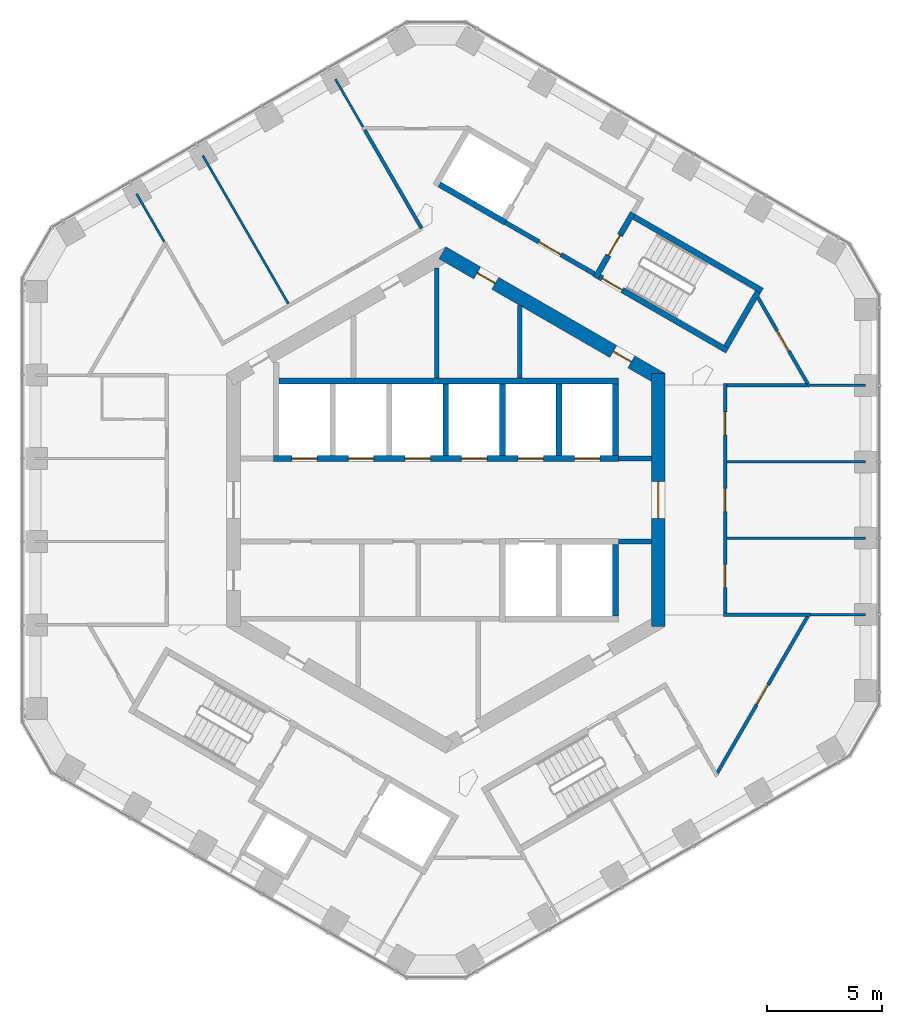
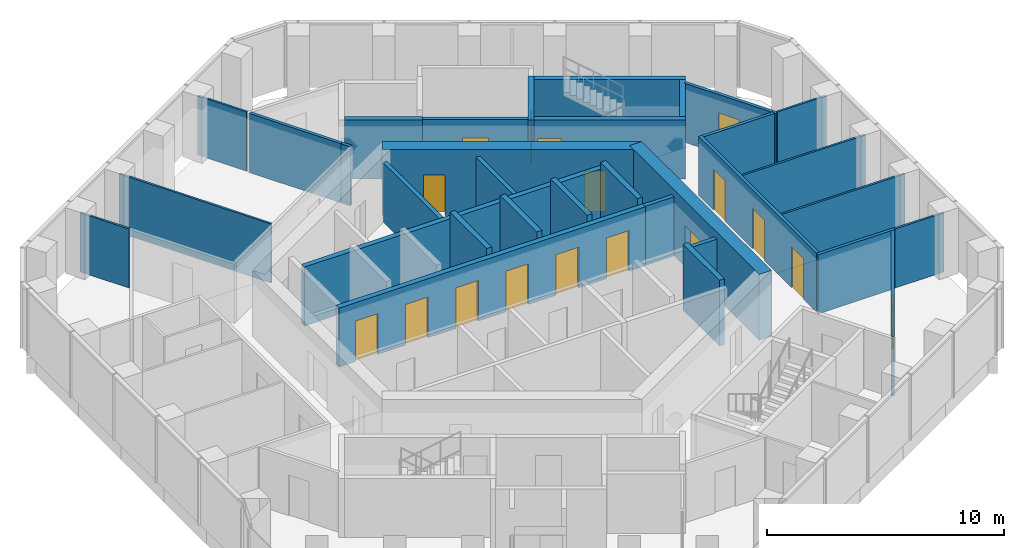
# One storey, part 15 of 18: 33 walls, 17 doors, 17 openings.
"""IFC4 building model written with IfcOpenShell, lengths in metres."""

from ifc_helpers import new_model, si_unit, direction, frame, frame_2d, origin, place, context, subcontext, project, spatial, rectangle, extrude, material, layer, layer_set, type_object, element, fill, save


model = new_model("IFC4")

# Units and contexts
model_context = context("Model", 3, precision=1e-05, world=origin(), true_north=direction((0.0, 1.0)))
body_context = subcontext(model_context, "Body", "Model", "MODEL_VIEW")
ifc_project = project(units=[si_unit("LENGTHUNIT", "METRE"), si_unit("AREAUNIT", "SQUARE_METRE"), si_unit("VOLUMEUNIT", "CUBIC_METRE"), si_unit("PLANEANGLEUNIT", "RADIAN"), si_unit("MASSUNIT", "GRAM", prefix="KILO")], contexts=[model_context])

# Site, building, storey
site_placement = place(None, origin())
site = spatial("IfcSite", under=ifc_project, at=site_placement, CompositionType="ELEMENT")
building_placement = place(site_placement, origin())
building = spatial("IfcBuilding", under=site, at=building_placement, Name="Ayvan Gate Tower", CompositionType="ELEMENT")
storey_placement = place(building_placement, frame((0.0, 0.0, 176.5)))
storey = spatial("IfcBuildingStorey", under=building, at=storey_placement, Name="L47", CompositionType="ELEMENT", Elevation=176.5)

# Wall, opening, door
ifc_material_1 = material(Name="Concrete C60/75", Category="concrete")
ifc_layer_1 = layer(ifc_material_1, 0.60009765625)
ifc_layer_set_1 = layer_set([ifc_layer_1], Name="Concrete C60/75")
wall_type_1 = type_object("IfcWallType", Name="Core wall 600 C60/75", PredefinedType="SHEAR", material=ifc_layer_set_1)
wall_1_placement = place(storey_placement, frame((9.199951171875, -5.48486328125, 0.0), z_axis=(0.0, 0.0, 1.0), x_axis=(0.0, 1.0, 0.0)))
wall_1 = element("IfcWall", 1, at=wall_1_placement, inside=storey, type_object=wall_type_1, Name="CORE-L47-0", PredefinedType="SHEAR", context=body_context, shape_type="SweptSolid", body=[
    extrude(rectangle(XDim=10.9697265625, YDim=0.60009765625, at=frame_2d((5.48486328125, 0.0))), origin(), (0.0, 0.0, 1.0), 3.39990234375),
])
opening_1_placement = place(wall_1_placement, frame((4.684814453125, 0.0, 0.0)))
opening_1 = element("IfcOpeningElement", 2, at=opening_1_placement, cuts=wall_1, Name="Opening L47-D47", PredefinedType="OPENING", context=body_context, shape_type="SweptSolid", body=[
    extrude(rectangle(XDim=1.60009765625, YDim=2.10009765625, at=frame_2d((0.800048828125, 1.050048828125))), frame((0.0, 0.31005859375, 0.0), z_axis=(0.0, -1.0, 0.0), x_axis=(1.0, 0.0, 0.0)), (0.0, 0.0, 1.0), 0.6201171875),
])
ifc_material_2 = material(Name="Timber door leaf", Category="wood")
door_type_1 = type_object("IfcDoorType", Name="DT-1600", OperationType="NOTDEFINED", PredefinedType="DOOR", material=ifc_material_2)
door_1_placement = place(opening_1_placement, origin())
door_1 = element("IfcDoor", 3, at=door_1_placement, inside=storey, type_object=door_type_1, Name="CD-L47-47", OperationType="SINGLE_SWING_RIGHT", OverallHeight=2.10009765625, OverallWidth=1.60009765625, PredefinedType="DOOR", context=body_context, shape_type="SweptSolid", body=[
    extrude(rectangle(XDim=1.60009765625, YDim=2.10009765625, at=frame_2d((0.800048828125, 1.050048828125))), frame((0.0, 0.02490234375, 0.0), z_axis=(0.0, -1.0, 0.0), x_axis=(1.0, 0.0, 0.0)), (0.0, 0.0, 1.0), 0.050048828125),
])
fill(opening_1, door_1)

# Wall, openings, doors
wall_2_placement = place(storey_placement, frame((9.35009765625, 5.22509765625, 0.0), z_axis=(0.0, 0.0, 1.0), x_axis=(-0.866023993627, 0.500002442456, 0.0)))
wall_2 = element("IfcWall", 4, at=wall_2_placement, inside=storey, type_object=wall_type_1, Name="CORE-L47-1", PredefinedType="SHEAR", context=body_context, shape_type="SweptSolid", body=[
    extrude(rectangle(XDim=10.9697265625, YDim=0.60009765625, at=frame_2d((5.48486328125, 0.0))), origin(), (0.0, 0.0, 1.0), 3.39990234375),
])
opening_2_placement = place(wall_2_placement, frame((8.3251953125, 0.0, 0.0)))
opening_2 = element("IfcOpeningElement", 5, at=opening_2_placement, cuts=wall_2, Name="Opening L47-D41", PredefinedType="OPENING", context=body_context, shape_type="SweptSolid", body=[
    extrude(rectangle(XDim=0.89990234375, YDim=2.10009765625, at=frame_2d((0.449951171875, 1.050048828125))), frame((0.0, 0.31005859375, 0.0), z_axis=(0.0, -1.0, 0.0), x_axis=(1.0, 0.0, 0.0)), (0.0, 0.0, 1.0), 0.6201171875),
])
opening_3_placement = place(wall_2_placement, frame((1.518310546875, 0.0, 0.0)))
opening_3 = element("IfcOpeningElement", 6, at=opening_3_placement, cuts=wall_2, Name="Opening L47-D42", PredefinedType="OPENING", context=body_context, shape_type="SweptSolid", body=[
    extrude(rectangle(XDim=0.89990234375, YDim=2.10009765625, at=frame_2d((0.449951171875, 1.050048828125))), frame((0.0, 0.31005859375, 0.0), z_axis=(0.0, -1.0, 0.0), x_axis=(1.0, 0.0, 0.0)), (0.0, 0.0, 1.0), 0.6201171875),
])
door_type_2 = type_object("IfcDoorType", Name="DT-900", OperationType="NOTDEFINED", PredefinedType="DOOR", material=ifc_material_2)
door_2_placement = place(opening_2_placement, origin())
door_2 = element("IfcDoor", 7, at=door_2_placement, inside=storey, type_object=door_type_2, Name="CD-L47-41", OperationType="SINGLE_SWING_RIGHT", OverallHeight=2.10009765625, OverallWidth=0.89990234375, PredefinedType="DOOR", context=body_context, shape_type="SweptSolid", body=[
    extrude(rectangle(XDim=0.89990234375, YDim=2.10009765625, at=frame_2d((0.449951171875, 1.050048828125))), frame((0.0, 0.02490234375, 0.0), z_axis=(0.0, -1.0, 0.0), x_axis=(1.0, 0.0, 0.0)), (0.0, 0.0, 1.0), 0.050048828125),
])
fill(opening_2, door_2)
door_3_placement = place(opening_3_placement, origin())
door_3 = element("IfcDoor", 8, at=door_3_placement, inside=storey, type_object=door_type_2, Name="CD-L47-42", OperationType="SINGLE_SWING_LEFT", OverallHeight=2.10009765625, OverallWidth=0.89990234375, PredefinedType="DOOR", context=body_context, shape_type="SweptSolid", body=[
    extrude(rectangle(XDim=0.89990234375, YDim=2.10009765625, at=frame_2d((0.449951171875, 1.050048828125))), frame((0.0, 0.02490234375, 0.0), z_axis=(0.0, -1.0, 0.0), x_axis=(1.0, 0.0, 0.0)), (0.0, 0.0, 1.0), 0.050048828125),
])
fill(opening_3, door_3)

# Walls
ifc_material_3 = material(Name="Plasterboard on steel stud", Category="steel")
ifc_layer_2 = layer(ifc_material_3, 0.14990234375)
ifc_layer_set_2 = layer_set([ifc_layer_2], Name="Plasterboard on steel stud")
wall_type_2 = type_object("IfcWallType", Name="WT-CORR-150", PredefinedType="PARTITIONING", material=ifc_layer_set_2)
wall_3_placement = place(storey_placement, frame((-1.285888671875, 12.173095703125, 0.0), z_axis=(0.0, 0.0, 1.0), x_axis=(-0.499988122821, 0.866032260968, 0.0)))
element("IfcWall", 9, at=wall_3_placement, inside=storey, type_object=wall_type_2, Name="IW-L47-043", PredefinedType="PARTITIONING", context=body_context, shape_type="SweptSolid", body=[
    extrude(rectangle(XDim=4.45458984375, YDim=0.14990234375, at=frame_2d((2.227294921875, 0.0))), origin(), (0.0, 0.0, 1.0), 3.050048828125),
])
wall_4_placement = place(storey_placement, frame((-1.27587890625, 12.155517578125, 0.0), z_axis=(0.0, 0.0, 1.0), x_axis=(0.500387287287, -0.865801687872, 0.0)))
element("IfcWall", 10, at=wall_4_placement, inside=storey, type_object=wall_type_2, Name="IW-L47-044", PredefinedType="PARTITIONING", context=body_context, shape_type="SweptSolid", body=[
    extrude(rectangle(XDim=0.445068359375, YDim=0.14990234375, at=frame_2d((0.22265625, 0.0))), origin(), (0.0, 0.0, 1.0), 3.050048828125),
])
wall_5_placement = place(storey_placement, frame((12.02490234375, -4.972900390625, 0.0), z_axis=(0.0, 0.0, 1.0), x_axis=(1.0, 0.0, 0.0)))
element("IfcWall", 11, at=wall_5_placement, inside=storey, type_object=wall_type_2, Name="IW-L47-086", PredefinedType="PARTITIONING", context=body_context, shape_type="SweptSolid", body=[
    extrude(rectangle(XDim=3.76513671875, YDim=0.14990234375, at=frame_2d((1.882568359375, 0.0))), origin(), (0.0, 0.0, 1.0), 3.050048828125),
])

# Wall, openings, doors
wall_6_placement = place(storey_placement, frame((12.10009765625, -4.89794921875, 0.0), z_axis=(0.0, 0.0, 1.0), x_axis=(0.0, 1.0, 0.0)))
wall_6 = element("IfcWall", 12, at=wall_6_placement, inside=storey, type_object=wall_type_2, Name="IW-L47-088", PredefinedType="PARTITIONING", context=body_context, shape_type="SweptSolid", body=[
    extrude(rectangle(XDim=9.946044921875, YDim=0.14990234375, at=frame_2d((4.97314453125, 0.0))), origin(), (0.0, 0.0, 1.0), 3.050048828125),
])
opening_4_placement = place(wall_6_placement, frame((1.105224609375, 0.0, 0.0)))
opening_4 = element("IfcOpeningElement", 13, at=opening_4_placement, cuts=wall_6, Name="Opening L47-D22", PredefinedType="OPENING", context=body_context, shape_type="SweptSolid", body=[
    extrude(rectangle(XDim=1.0, YDim=2.10009765625, at=frame_2d((0.5, 1.050048828125))), frame((0.0, 0.0849609375, 0.0), z_axis=(0.0, -1.0, 0.0), x_axis=(1.0, 0.0, 0.0)), (0.0, 0.0, 1.0), 0.169921875),
])
opening_5_placement = place(wall_6_placement, frame((4.39794921875, 0.0, 0.0)))
opening_5 = element("IfcOpeningElement", 14, at=opening_5_placement, cuts=wall_6, Name="Opening L47-D23", PredefinedType="OPENING", context=body_context, shape_type="SweptSolid", body=[
    extrude(rectangle(XDim=1.0, YDim=2.10009765625, at=frame_2d((0.5, 1.050048828125))), frame((0.0, 0.0849609375, 0.0), z_axis=(0.0, -1.0, 0.0), x_axis=(1.0, 0.0, 0.0)), (0.0, 0.0, 1.0), 0.169921875),
])
opening_6_placement = place(wall_6_placement, frame((7.71337890625, 0.0, 0.0)))
opening_6 = element("IfcOpeningElement", 15, at=opening_6_placement, cuts=wall_6, Name="Opening L47-D24", PredefinedType="OPENING", context=body_context, shape_type="SweptSolid", body=[
    extrude(rectangle(XDim=1.0, YDim=2.10009765625, at=frame_2d((0.5, 1.050048828125))), frame((0.0, 0.0849609375, 0.0), z_axis=(0.0, -1.0, 0.0), x_axis=(1.0, 0.0, 0.0)), (0.0, 0.0, 1.0), 0.169921875),
])
door_type_3 = type_object("IfcDoorType", Name="DT-1000", OperationType="NOTDEFINED", PredefinedType="DOOR", material=ifc_material_2)
door_4_placement = place(opening_4_placement, origin())
door_4 = element("IfcDoor", 16, at=door_4_placement, inside=storey, type_object=door_type_3, Name="ID-L47-022", OperationType="SINGLE_SWING_LEFT", OverallHeight=2.10009765625, OverallWidth=1.0, PredefinedType="DOOR", context=body_context, shape_type="SweptSolid", body=[
    extrude(rectangle(XDim=1.0, YDim=2.10009765625, at=frame_2d((0.5, 1.050048828125))), frame((0.0, 0.02490234375, 0.0), z_axis=(0.0, -1.0, 0.0), x_axis=(1.0, 0.0, 0.0)), (0.0, 0.0, 1.0), 0.050048828125),
])
fill(opening_4, door_4)
door_5_placement = place(opening_5_placement, origin())
door_5 = element("IfcDoor", 17, at=door_5_placement, inside=storey, type_object=door_type_3, Name="ID-L47-023", OperationType="SINGLE_SWING_RIGHT", OverallHeight=2.10009765625, OverallWidth=1.0, PredefinedType="DOOR", context=body_context, shape_type="SweptSolid", body=[
    extrude(rectangle(XDim=1.0, YDim=2.10009765625, at=frame_2d((0.5, 1.050048828125))), frame((0.0, 0.02490234375, 0.0), z_axis=(0.0, -1.0, 0.0), x_axis=(1.0, 0.0, 0.0)), (0.0, 0.0, 1.0), 0.050048828125),
])
fill(opening_5, door_5)
door_6_placement = place(opening_6_placement, origin())
door_6 = element("IfcDoor", 18, at=door_6_placement, inside=storey, type_object=door_type_3, Name="ID-L47-024", OperationType="SINGLE_SWING_LEFT", OverallHeight=2.10009765625, OverallWidth=1.0, PredefinedType="DOOR", context=body_context, shape_type="SweptSolid", body=[
    extrude(rectangle(XDim=1.0, YDim=2.10009765625, at=frame_2d((0.5, 1.050048828125))), frame((0.0, 0.02490234375, 0.0), z_axis=(0.0, -1.0, 0.0), x_axis=(1.0, 0.0, 0.0)), (0.0, 0.0, 1.0), 0.050048828125),
])
fill(opening_6, door_6)

# Wall, opening, door
wall_7_placement = place(storey_placement, frame((13.512451171875, 8.787841796875, 0.0), z_axis=(0.0, 0.0, 1.0), x_axis=(0.499989762656, -0.866031314237, 0.0)))
wall_7 = element("IfcWall", 19, at=wall_7_placement, inside=storey, type_object=wall_type_2, Name="IW-L47-090", PredefinedType="PARTITIONING", context=body_context, shape_type="SweptSolid", body=[
    extrude(rectangle(XDim=4.47998046875, YDim=0.14990234375, at=frame_2d((2.239990234375, 0.0))), origin(), (0.0, 0.0, 1.0), 3.050048828125),
])
opening_7_placement = place(wall_7_placement, frame((1.685302734375, 0.0, 0.0)))
opening_7 = element("IfcOpeningElement", 20, at=opening_7_placement, cuts=wall_7, Name="Opening L47-D25", PredefinedType="OPENING", context=body_context, shape_type="SweptSolid", body=[
    extrude(rectangle(XDim=1.0, YDim=2.10009765625, at=frame_2d((0.5, 1.050048828125))), frame((0.0, 0.0849609375, 0.0), z_axis=(0.0, -1.0, 0.0), x_axis=(1.0, 0.0, 0.0)), (0.0, 0.0, 1.0), 0.169921875),
])
door_7_placement = place(opening_7_placement, origin())
door_7 = element("IfcDoor", 21, at=door_7_placement, inside=storey, type_object=door_type_3, Name="ID-L47-025", OperationType="SINGLE_SWING_RIGHT", OverallHeight=2.10009765625, OverallWidth=1.0, PredefinedType="DOOR", context=body_context, shape_type="SweptSolid", body=[
    extrude(rectangle(XDim=1.0, YDim=2.10009765625, at=frame_2d((0.5, 1.050048828125))), frame((0.0, 0.02490234375, 0.0), z_axis=(0.0, -1.0, 0.0), x_axis=(1.0, 0.0, 0.0)), (0.0, 0.0, 1.0), 0.050048828125),
])
fill(opening_7, door_7)

# Wall
wall_8_placement = place(storey_placement, frame((15.639892578125, 4.972900390625, 0.0), z_axis=(0.0, 0.0, 1.0), x_axis=(-1.0, 0.0, 0.0)))
element("IfcWall", 22, at=wall_8_placement, inside=storey, type_object=wall_type_2, Name="IW-L47-092", PredefinedType="PARTITIONING", context=body_context, shape_type="SweptSolid", body=[
    extrude(rectangle(XDim=3.465087890625, YDim=0.14990234375, at=frame_2d((1.732421875, 0.0))), origin(), (0.0, 0.0, 1.0), 3.050048828125),
])

# Wall, opening, door
wall_9_placement = place(storey_placement, frame((15.677490234375, -5.037841796875, 0.0), z_axis=(0.0, 0.0, 1.0), x_axis=(-0.500005339912, -0.866022320763, 0.0)))
wall_9 = element("IfcWall", 23, at=wall_9_placement, inside=storey, type_object=wall_type_2, Name="IW-L47-094", PredefinedType="PARTITIONING", context=body_context, shape_type="SweptSolid", body=[
    extrude(rectangle(XDim=7.84423828125, YDim=0.14990234375, at=frame_2d((3.922119140625, 0.0))), origin(), (0.0, 0.0, 1.0), 3.050048828125),
])
opening_8_placement = place(wall_9_placement, frame((3.422119140625, 0.0, 0.0)))
opening_8 = element("IfcOpeningElement", 24, at=opening_8_placement, cuts=wall_9, Name="Opening L47-D36", PredefinedType="OPENING", context=body_context, shape_type="SweptSolid", body=[
    extrude(rectangle(XDim=1.0, YDim=2.10009765625, at=frame_2d((0.5, 1.050048828125))), frame((0.0, 0.0849609375, 0.0), z_axis=(0.0, -1.0, 0.0), x_axis=(1.0, 0.0, 0.0)), (0.0, 0.0, 1.0), 0.169921875),
])
door_8_placement = place(opening_8_placement, origin())
door_8 = element("IfcDoor", 25, at=door_8_placement, inside=storey, type_object=door_type_3, Name="ID-L47-036", OperationType="SINGLE_SWING_LEFT", OverallHeight=2.10009765625, OverallWidth=1.0, PredefinedType="DOOR", context=body_context, shape_type="SweptSolid", body=[
    extrude(rectangle(XDim=1.0, YDim=2.10009765625, at=frame_2d((0.5, 1.050048828125))), frame((0.0, 0.02490234375, 0.0), z_axis=(0.0, -1.0, 0.0), x_axis=(1.0, 0.0, 0.0)), (0.0, 0.0, 1.0), 0.050048828125),
])
fill(opening_8, door_8)

# Walls
ifc_layer_3 = layer(ifc_material_3, 0.10009765625)
ifc_layer_set_3 = layer_set([ifc_layer_3], Name="Plasterboard on steel stud")
wall_type_3 = type_object("IfcWallType", Name="WT-PART-100", PredefinedType="PARTITIONING", material=ifc_layer_set_3)
wall_10_placement = place(storey_placement, frame((-13.39990234375, 13.263427734375, 0.0), z_axis=(0.0, 0.0, 1.0), x_axis=(0.499995825336, -0.866027814014, 0.0)))
element("IfcWall", 26, at=wall_10_placement, inside=storey, type_object=wall_type_3, Name="IW-L47-008", PredefinedType="PARTITIONING", context=body_context, shape_type="SweptSolid", body=[
    extrude(rectangle(XDim=2.396484375, YDim=0.10009765625, at=frame_2d((1.1982421875, 0.0))), origin(), (0.0, 0.0, 1.0), 3.050048828125),
])
wall_11_placement = place(storey_placement, frame((-6.822998046875, 8.502685546875, 0.0), z_axis=(0.0, 0.0, 1.0), x_axis=(-0.500011399757, 0.866018822032, 0.0)))
element("IfcWall", 27, at=wall_11_placement, inside=storey, type_object=wall_type_3, Name="IW-L47-027", PredefinedType="PARTITIONING", context=body_context, shape_type="SweptSolid", body=[
    extrude(rectangle(XDim=7.411376953125, YDim=0.10009765625, at=frame_2d((3.70556640625, 0.0))), origin(), (0.0, 0.0, 1.0), 3.050048828125),
])
wall_12_placement = place(storey_placement, frame((-3.58837890625, 16.160888671875, 0.0), z_axis=(0.0, 0.0, 1.0), x_axis=(-0.499951716245, 0.866053278629, 0.0)))
element("IfcWall", 28, at=wall_12_placement, inside=storey, type_object=wall_type_3, Name="IW-L47-037", PredefinedType="PARTITIONING", context=body_context, shape_type="SweptSolid", body=[
    extrude(rectangle(XDim=2.396728515625, YDim=0.10009765625, at=frame_2d((1.1982421875, 0.0))), origin(), (0.0, 0.0, 1.0), 3.050048828125),
])
for number, where, z_axis, x_axis, name in (
    (29, (12.175048828125, -1.65771484375, 0.0), (0.0, 0.0, 1.0), (1.0, 0.0, 0.0), "IW-L47-087"),
    (30, (12.175048828125, 1.65771484375, 0.0), (0.0, 0.0, 1.0), (1.0, 0.0, 0.0), "IW-L47-089"),
):
    element("IfcWall", number, at=place(storey_placement, frame(where, z_axis=z_axis, x_axis=x_axis)), inside=storey, type_object=wall_type_3, Name=name, PredefinedType="PARTITIONING", context=body_context, shape_type="SweptSolid", body=[
        extrude(rectangle(XDim=6.011474609375, YDim=0.10009765625, at=frame_2d((3.005859375, 0.0))), origin(), (0.0, 0.0, 1.0), 3.050048828125),
    ])
wall_13_placement = place(storey_placement, frame((15.7900390625, 4.972900390625, 0.0), z_axis=(0.0, 0.0, 1.0), x_axis=(1.0, 0.0, 0.0)))
element("IfcWall", 31, at=wall_13_placement, inside=storey, type_object=wall_type_3, Name="IW-L47-093", PredefinedType="PARTITIONING", context=body_context, shape_type="SweptSolid", body=[
    extrude(rectangle(XDim=2.396484375, YDim=0.10009765625, at=frame_2d((1.1982421875, 0.0))), origin(), (0.0, 0.0, 1.0), 3.050048828125),
])
wall_14_placement = place(storey_placement, frame((18.1865234375, -4.972900390625, 0.0), z_axis=(0.0, 0.0, 1.0), x_axis=(-1.0, 0.0, 0.0)))
element("IfcWall", 32, at=wall_14_placement, inside=storey, type_object=wall_type_3, Name="IW-L47-095", PredefinedType="PARTITIONING", context=body_context, shape_type="SweptSolid", body=[
    extrude(rectangle(XDim=2.396728515625, YDim=0.10009765625, at=frame_2d((1.1982421875, 0.0))), origin(), (0.0, 0.0, 1.0), 3.050048828125),
])
ifc_layer_4 = layer(ifc_material_3, 0.199951171875)
ifc_layer_set_4 = layer_set([ifc_layer_4], Name="Plasterboard on steel stud")
wall_type_4 = type_object("IfcWallType", Name="WT-RATED-200", PredefinedType="PARTITIONING", material=ifc_layer_set_4)
wall_15_placement = place(storey_placement, frame((-0.39990234375, 10.0458984375, 0.0), z_axis=(0.0, 0.0, 1.0), x_axis=(0.0, -1.0, 0.0)))
element("IfcWall", 33, at=wall_15_placement, inside=storey, type_object=wall_type_4, Name="IW-L47-048", PredefinedType="PARTITIONING", context=body_context, shape_type="SweptSolid", body=[
    extrude(rectangle(XDim=4.77099609375, YDim=0.199951171875, at=frame_2d((2.385498046875, 0.0))), origin(), (0.0, 0.0, 1.0), 3.050048828125),
])
wall_16_placement = place(storey_placement, frame((3.199951171875, 8.42919921875, 0.0), z_axis=(0.0, 0.0, 1.0), x_axis=(0.0, -1.0, 0.0)))
element("IfcWall", 34, at=wall_16_placement, inside=storey, type_object=wall_type_4, Name="IW-L47-060", PredefinedType="PARTITIONING", context=body_context, shape_type="SweptSolid", body=[
    extrude(rectangle(XDim=3.154296875, YDim=0.199951171875, at=frame_2d((1.5771484375, 0.0))), origin(), (0.0, 0.0, 1.0), 3.050048828125),
])

# Wall, opening, door
wall_17_placement = place(storey_placement, frame((6.4345703125, 9.794921875, 0.0), z_axis=(0.0, 0.0, 1.0), x_axis=(-0.866012907634, 0.500021643343, 0.0)))
wall_17 = element("IfcWall", 35, at=wall_17_placement, inside=storey, type_object=wall_type_4, Name="IW-L47-069", PredefinedType="PARTITIONING", context=body_context, shape_type="SweptSolid", body=[
    extrude(rectangle(XDim=4.449951171875, YDim=0.199951171875, at=frame_2d((2.22509765625, 0.0))), origin(), (0.0, 0.0, 1.0), 3.050048828125),
])
opening_9_placement = place(wall_17_placement, frame((1.675048828125, 0.0, 0.0)))
opening_9 = element("IfcOpeningElement", 36, at=opening_9_placement, cuts=wall_17, Name="Opening L47-D13", PredefinedType="OPENING", context=body_context, shape_type="SweptSolid", body=[
    extrude(rectangle(XDim=1.10009765625, YDim=2.10009765625, at=frame_2d((0.550048828125, 1.050048828125))), frame((0.0, 0.10986328125, 0.0), z_axis=(0.0, -1.0, 0.0), x_axis=(1.0, 0.0, 0.0)), (0.0, 0.0, 1.0), 0.219970703125),
])
door_type_4 = type_object("IfcDoorType", Name="DT-1100", OperationType="NOTDEFINED", PredefinedType="DOOR", material=ifc_material_2)
door_9_placement = place(opening_9_placement, origin())
door_9 = element("IfcDoor", 37, at=door_9_placement, inside=storey, type_object=door_type_4, Name="ID-L47-013", OperationType="SINGLE_SWING_RIGHT", OverallHeight=2.10009765625, OverallWidth=1.10009765625, PredefinedType="DOOR", context=body_context, shape_type="SweptSolid", body=[
    extrude(rectangle(XDim=1.10009765625, YDim=2.10009765625, at=frame_2d((0.550048828125, 1.050048828125))), frame((0.0, 0.02490234375, 0.0), z_axis=(0.0, -1.0, 0.0), x_axis=(1.0, 0.0, 0.0)), (0.0, 0.0, 1.0), 0.050048828125),
])
fill(opening_9, door_9)

# Walls
for number, where, z_axis, x_axis, name in (
    (38, (7.474853515625, 1.800048828125, 0.0), (0.0, 0.0, 1.0), (1.0, 0.0, 0.0), "IW-L47-075"),
    (39, (8.89990234375, -1.800048828125, 0.0), (0.0, 0.0, 1.0), (-1.0, 0.0, 0.0), "IW-L47-081"),
):
    element("IfcWall", number, at=place(storey_placement, frame(where, z_axis=z_axis, x_axis=x_axis)), inside=storey, type_object=wall_type_4, Name=name, PredefinedType="PARTITIONING", context=body_context, shape_type="SweptSolid", body=[
        extrude(rectangle(XDim=1.425048828125, YDim=0.199951171875, at=frame_2d((0.71240234375, 0.0))), origin(), (0.0, 0.0, 1.0), 3.050048828125),
    ])

# Wall, openings, doors
ifc_material_4 = material(Name="Concrete C50/60", Category="concrete")
ifc_layer_5 = layer(ifc_material_4, 0.25)
ifc_layer_set_5 = layer_set([ifc_layer_5], Name="Concrete C50/60")
wall_type_5 = type_object("IfcWallType", Name="WT-RC-250", PredefinedType="SHEAR", material=ifc_layer_set_5)
wall_18_placement = place(storey_placement, frame((-7.47509765625, 1.800048828125, 0.0), z_axis=(0.0, 0.0, 1.0), x_axis=(1.0, 0.0, 0.0)))
wall_18 = element("IfcWall", 40, at=wall_18_placement, inside=storey, type_object=wall_type_5, Name="IW-L47-023", PredefinedType="SHEAR", context=body_context, shape_type="SweptSolid", body=[
    extrude(rectangle(XDim=14.9501953125, YDim=0.25, at=frame_2d((7.47509765625, 0.0))), origin(), (0.0, 0.0, 1.0), 3.050048828125),
])
opening_10_placement = place(wall_18_placement, frame((0.800048828125, 0.0, 0.0)))
opening_10 = element("IfcOpeningElement", 41, at=opening_10_placement, cuts=wall_18, Name="Opening L47-LD-HR1", PredefinedType="OPENING", context=body_context, shape_type="SweptSolid", body=[
    extrude(rectangle(XDim=1.10009765625, YDim=2.10009765625, at=frame_2d((0.550048828125, 1.050048828125))), frame((0.0, 0.135009765625, 0.0), z_axis=(0.0, -1.0, 0.0), x_axis=(1.0, 0.0, 0.0)), (0.0, 0.0, 1.0), 0.27001953125),
])
opening_11_placement = place(wall_18_placement, frame((3.25, 0.0, 0.0)))
opening_11 = element("IfcOpeningElement", 42, at=opening_11_placement, cuts=wall_18, Name="Opening L47-LD-HR2", PredefinedType="OPENING", context=body_context, shape_type="SweptSolid", body=[
    extrude(rectangle(XDim=1.10009765625, YDim=2.10009765625, at=frame_2d((0.550048828125, 1.050048828125))), frame((0.0, 0.135009765625, 0.0), z_axis=(0.0, -1.0, 0.0), x_axis=(1.0, 0.0, 0.0)), (0.0, 0.0, 1.0), 0.27001953125),
])
opening_12_placement = place(wall_18_placement, frame((5.7001953125, 0.0, 0.0)))
opening_12 = element("IfcOpeningElement", 43, at=opening_12_placement, cuts=wall_18, Name="Opening L47-LD-HR3", PredefinedType="OPENING", context=body_context, shape_type="SweptSolid", body=[
    extrude(rectangle(XDim=1.10009765625, YDim=2.10009765625, at=frame_2d((0.550048828125, 1.050048828125))), frame((0.0, 0.135009765625, 0.0), z_axis=(0.0, -1.0, 0.0), x_axis=(1.0, 0.0, 0.0)), (0.0, 0.0, 1.0), 0.27001953125),
])
opening_13_placement = place(wall_18_placement, frame((8.150146484375, 0.0, 0.0)))
opening_13 = element("IfcOpeningElement", 44, at=opening_13_placement, cuts=wall_18, Name="Opening L47-LD-HR4", PredefinedType="OPENING", context=body_context, shape_type="SweptSolid", body=[
    extrude(rectangle(XDim=1.10009765625, YDim=2.10009765625, at=frame_2d((0.550048828125, 1.050048828125))), frame((0.0, 0.135009765625, 0.0), z_axis=(0.0, -1.0, 0.0), x_axis=(1.0, 0.0, 0.0)), (0.0, 0.0, 1.0), 0.27001953125),
])
opening_14_placement = place(wall_18_placement, frame((10.60009765625, 0.0, 0.0)))
opening_14 = element("IfcOpeningElement", 45, at=opening_14_placement, cuts=wall_18, Name="Opening L47-LD-HR5", PredefinedType="OPENING", context=body_context, shape_type="SweptSolid", body=[
    extrude(rectangle(XDim=1.10009765625, YDim=2.10009765625, at=frame_2d((0.550048828125, 1.050048828125))), frame((0.0, 0.135009765625, 0.0), z_axis=(0.0, -1.0, 0.0), x_axis=(1.0, 0.0, 0.0)), (0.0, 0.0, 1.0), 0.27001953125),
])
opening_15_placement = place(wall_18_placement, frame((13.050048828125, 0.0, 0.0)))
opening_15 = element("IfcOpeningElement", 46, at=opening_15_placement, cuts=wall_18, Name="Opening L47-LD-HR6", PredefinedType="OPENING", context=body_context, shape_type="SweptSolid", body=[
    extrude(rectangle(XDim=1.10009765625, YDim=2.10009765625, at=frame_2d((0.550048828125, 1.050048828125))), frame((0.0, 0.135009765625, 0.0), z_axis=(0.0, -1.0, 0.0), x_axis=(1.0, 0.0, 0.0)), (0.0, 0.0, 1.0), 0.27001953125),
])
ifc_material_5 = material(Name="Stainless steel landing door", Category="steel")
door_type_5 = type_object("IfcDoorType", Name="DT-LANDING-1100", OperationType="SLIDING_TO_LEFT", PredefinedType="DOOR", material=ifc_material_5)
door_10_placement = place(opening_10_placement, origin())
door_10 = element("IfcDoor", 47, at=door_10_placement, inside=storey, type_object=door_type_5, Name="ID-L47-001", OperationType="SLIDING_TO_LEFT", OverallHeight=2.10009765625, OverallWidth=1.10009765625, PredefinedType="DOOR", context=body_context, shape_type="SweptSolid", body=[
    extrude(rectangle(XDim=1.10009765625, YDim=2.10009765625, at=frame_2d((0.550048828125, 1.050048828125))), frame((0.0, 0.02490234375, 0.0), z_axis=(0.0, -1.0, 0.0), x_axis=(1.0, 0.0, 0.0)), (0.0, 0.0, 1.0), 0.050048828125),
])
fill(opening_10, door_10)
door_11_placement = place(opening_11_placement, origin())
door_11 = element("IfcDoor", 48, at=door_11_placement, inside=storey, type_object=door_type_5, Name="ID-L47-002", OperationType="SLIDING_TO_LEFT", OverallHeight=2.10009765625, OverallWidth=1.10009765625, PredefinedType="DOOR", context=body_context, shape_type="SweptSolid", body=[
    extrude(rectangle(XDim=1.10009765625, YDim=2.10009765625, at=frame_2d((0.550048828125, 1.050048828125))), frame((0.0, 0.02490234375, 0.0), z_axis=(0.0, -1.0, 0.0), x_axis=(1.0, 0.0, 0.0)), (0.0, 0.0, 1.0), 0.050048828125),
])
fill(opening_11, door_11)
door_12_placement = place(opening_12_placement, origin())
door_12 = element("IfcDoor", 49, at=door_12_placement, inside=storey, type_object=door_type_5, Name="ID-L47-003", OperationType="SLIDING_TO_LEFT", OverallHeight=2.10009765625, OverallWidth=1.10009765625, PredefinedType="DOOR", context=body_context, shape_type="SweptSolid", body=[
    extrude(rectangle(XDim=1.10009765625, YDim=2.10009765625, at=frame_2d((0.550048828125, 1.050048828125))), frame((0.0, 0.02490234375, 0.0), z_axis=(0.0, -1.0, 0.0), x_axis=(1.0, 0.0, 0.0)), (0.0, 0.0, 1.0), 0.050048828125),
])
fill(opening_12, door_12)
door_13_placement = place(opening_13_placement, origin())
door_13 = element("IfcDoor", 50, at=door_13_placement, inside=storey, type_object=door_type_5, Name="ID-L47-004", OperationType="SLIDING_TO_LEFT", OverallHeight=2.10009765625, OverallWidth=1.10009765625, PredefinedType="DOOR", context=body_context, shape_type="SweptSolid", body=[
    extrude(rectangle(XDim=1.10009765625, YDim=2.10009765625, at=frame_2d((0.550048828125, 1.050048828125))), frame((0.0, 0.02490234375, 0.0), z_axis=(0.0, -1.0, 0.0), x_axis=(1.0, 0.0, 0.0)), (0.0, 0.0, 1.0), 0.050048828125),
])
fill(opening_13, door_13)
door_14_placement = place(opening_14_placement, origin())
door_14 = element("IfcDoor", 51, at=door_14_placement, inside=storey, type_object=door_type_5, Name="ID-L47-005", OperationType="SLIDING_TO_LEFT", OverallHeight=2.10009765625, OverallWidth=1.10009765625, PredefinedType="DOOR", context=body_context, shape_type="SweptSolid", body=[
    extrude(rectangle(XDim=1.10009765625, YDim=2.10009765625, at=frame_2d((0.550048828125, 1.050048828125))), frame((0.0, 0.02490234375, 0.0), z_axis=(0.0, -1.0, 0.0), x_axis=(1.0, 0.0, 0.0)), (0.0, 0.0, 1.0), 0.050048828125),
])
fill(opening_14, door_14)
door_15_placement = place(opening_15_placement, origin())
door_15 = element("IfcDoor", 52, at=door_15_placement, inside=storey, type_object=door_type_5, Name="ID-L47-006", OperationType="SLIDING_TO_LEFT", OverallHeight=2.10009765625, OverallWidth=1.10009765625, PredefinedType="DOOR", context=body_context, shape_type="SweptSolid", body=[
    extrude(rectangle(XDim=1.10009765625, YDim=2.10009765625, at=frame_2d((0.550048828125, 1.050048828125))), frame((0.0, 0.02490234375, 0.0), z_axis=(0.0, -1.0, 0.0), x_axis=(1.0, 0.0, 0.0)), (0.0, 0.0, 1.0), 0.050048828125),
])
fill(opening_15, door_15)

# Walls
wall_19_placement = place(storey_placement, frame((-7.22509765625, 5.14990234375, 0.0), z_axis=(0.0, 0.0, 1.0), x_axis=(1.0, 0.0, 0.0)))
element("IfcWall", 53, at=wall_19_placement, inside=storey, type_object=wall_type_5, Name="IW-L47-025", PredefinedType="SHEAR", context=body_context, shape_type="SweptSolid", body=[
    extrude(rectangle(XDim=14.7001953125, YDim=0.25, at=frame_2d((7.35009765625, 0.0))), origin(), (0.0, 0.0, 1.0), 3.050048828125),
])
for number, where, z_axis, x_axis, name in (
    (54, (0.0, 5.02490234375, 0.0), (0.0, 0.0, 1.0), (0.0, -1.0, 0.0), "IW-L47-050"),
    (55, (2.449951171875, 5.02490234375, 0.0), (0.0, 0.0, 1.0), (0.0, -1.0, 0.0), "IW-L47-055"),
):
    element("IfcWall", number, at=place(storey_placement, frame(where, z_axis=z_axis, x_axis=x_axis)), inside=storey, type_object=wall_type_5, Name=name, PredefinedType="SHEAR", context=body_context, shape_type="SweptSolid", body=[
        extrude(rectangle(XDim=3.099853515625, YDim=0.25, at=frame_2d((1.5498046875, 0.0))), origin(), (0.0, 0.0, 1.0), 3.39990234375),
    ])
wall_20_placement = place(storey_placement, frame((2.580810546875, 12.02001953125, 0.0), z_axis=(0.0, 0.0, 1.0), x_axis=(-0.866040211805, 0.499974350878, 0.0)))
element("IfcWall", 56, at=wall_20_placement, inside=storey, type_object=wall_type_5, Name="IW-L47-056", PredefinedType="SHEAR", context=body_context, shape_type="SweptSolid", body=[
    extrude(rectangle(XDim=3.300048828125, YDim=0.25, at=frame_2d((1.64990234375, 0.0))), origin(), (0.0, 0.0, 1.0), 3.050048828125),
])
wall_21_placement = place(storey_placement, frame((4.89990234375, 5.02490234375, 0.0), z_axis=(0.0, 0.0, 1.0), x_axis=(0.0, -1.0, 0.0)))
element("IfcWall", 57, at=wall_21_placement, inside=storey, type_object=wall_type_5, Name="IW-L47-067", PredefinedType="SHEAR", context=body_context, shape_type="SweptSolid", body=[
    extrude(rectangle(XDim=3.099853515625, YDim=0.25, at=frame_2d((1.5498046875, 0.0))), origin(), (0.0, 0.0, 1.0), 3.39990234375),
])

# Wall, opening, door
wall_22_placement = place(storey_placement, frame((6.480224609375, 9.624267578125, 0.0), z_axis=(0.0, 0.0, 1.0), x_axis=(0.500017246033, 0.866015446554, 0.0)))
wall_22 = element("IfcWall", 58, at=wall_22_placement, inside=storey, type_object=wall_type_5, Name="IW-L47-070", PredefinedType="SHEAR", context=body_context, shape_type="SweptSolid", body=[
    extrude(rectangle(XDim=3.25, YDim=0.25, at=frame_2d((1.625, 0.0))), origin(), (0.0, 0.0, 1.0), 3.050048828125),
])
opening_16_placement = place(wall_22_placement, frame((1.125, 0.0, 0.0)))
opening_16 = element("IfcOpeningElement", 59, at=opening_16_placement, cuts=wall_22, Name="Opening L47-D12", PredefinedType="OPENING", context=body_context, shape_type="SweptSolid", body=[
    extrude(rectangle(XDim=1.0, YDim=2.10009765625, at=frame_2d((0.5, 1.050048828125))), frame((0.0, 0.135009765625, 0.0), z_axis=(0.0, -1.0, 0.0), x_axis=(1.0, 0.0, 0.0)), (0.0, 0.0, 1.0), 0.27001953125),
])
door_16_placement = place(opening_16_placement, origin())
door_16 = element("IfcDoor", 60, at=door_16_placement, inside=storey, type_object=door_type_3, Name="ID-L47-012", OperationType="SINGLE_SWING_LEFT", OverallHeight=2.10009765625, OverallWidth=1.0, PredefinedType="DOOR", context=body_context, shape_type="SweptSolid", body=[
    extrude(rectangle(XDim=1.0, YDim=2.10009765625, at=frame_2d((0.5, 1.050048828125))), frame((0.0, 0.02490234375, 0.0), z_axis=(0.0, -1.0, 0.0), x_axis=(1.0, 0.0, 0.0)), (0.0, 0.0, 1.0), 0.050048828125),
])
fill(opening_16, door_16)

# Walls
for number, where, z_axis, x_axis, name in (
    (61, (7.35009765625, -1.925048828125, 0.0), (0.0, 0.0, 1.0), (0.0, -1.0, 0.0), "IW-L47-076"),
    (62, (7.35009765625, 5.02490234375, 0.0), (0.0, 0.0, 1.0), (0.0, -1.0, 0.0), "IW-L47-077"),
):
    element("IfcWall", number, at=place(storey_placement, frame(where, z_axis=z_axis, x_axis=x_axis)), inside=storey, type_object=wall_type_5, Name=name, PredefinedType="SHEAR", context=body_context, shape_type="SweptSolid", body=[
        extrude(rectangle(XDim=3.099853515625, YDim=0.25, at=frame_2d((1.5498046875, 0.0))), origin(), (0.0, 0.0, 1.0), 3.39990234375),
    ])
wall_23_placement = place(storey_placement, frame((8.151123046875, 12.26806640625, 0.0), z_axis=(0.0, 0.0, 1.0), x_axis=(0.866025499775, -0.499999833739, 0.0)))
element("IfcWall", 63, at=wall_23_placement, inside=storey, type_object=wall_type_5, Name="IW-L47-079", PredefinedType="SHEAR", context=body_context, shape_type="SweptSolid", body=[
    extrude(rectangle(XDim=6.39990234375, YDim=0.25, at=frame_2d((3.199951171875, 0.0))), origin(), (0.0, 0.0, 1.0), 3.050048828125),
])

# Wall, opening, door
wall_24_placement = place(storey_placement, frame((12.193603515625, 6.469970703125, 0.0), z_axis=(0.0, 0.0, 1.0), x_axis=(-0.866025499775, 0.499999833739, 0.0)))
wall_24 = element("IfcWall", 64, at=wall_24_placement, inside=storey, type_object=wall_type_5, Name="IW-L47-085", PredefinedType="SHEAR", context=body_context, shape_type="SweptSolid", body=[
    extrude(rectangle(XDim=6.39990234375, YDim=0.25, at=frame_2d((3.199951171875, 0.0))), origin(), (0.0, 0.0, 1.0), 3.050048828125),
])
opening_17_placement = place(wall_24_placement, frame((5.25, 0.0, 0.0)))
opening_17 = element("IfcOpeningElement", 65, at=opening_17_placement, cuts=wall_24, Name="Opening L47-D11", PredefinedType="OPENING", context=body_context, shape_type="SweptSolid", body=[
    extrude(rectangle(XDim=1.0, YDim=2.10009765625, at=frame_2d((0.5, 1.050048828125))), frame((0.0, 0.135009765625, 0.0), z_axis=(0.0, -1.0, 0.0), x_axis=(1.0, 0.0, 0.0)), (0.0, 0.0, 1.0), 0.27001953125),
])
door_17_placement = place(opening_17_placement, origin())
door_17 = element("IfcDoor", 66, at=door_17_placement, inside=storey, type_object=door_type_3, Name="ID-L47-011", OperationType="SINGLE_SWING_RIGHT", OverallHeight=2.10009765625, OverallWidth=1.0, PredefinedType="DOOR", context=body_context, shape_type="SweptSolid", body=[
    extrude(rectangle(XDim=1.0, YDim=2.10009765625, at=frame_2d((0.5, 1.050048828125))), frame((0.0, 0.02490234375, 0.0), z_axis=(0.0, -1.0, 0.0), x_axis=(1.0, 0.0, 0.0)), (0.0, 0.0, 1.0), 0.050048828125),
])
fill(opening_17, door_17)

# Wall
wall_25_placement = place(storey_placement, frame((12.14794921875, 6.640869140625, 0.0), z_axis=(0.0, 0.0, 1.0), x_axis=(0.500034990121, 0.866005201286, 0.0)))
element("IfcWall", 67, at=wall_25_placement, inside=storey, type_object=wall_type_5, Name="IW-L47-091", PredefinedType="SHEAR", context=body_context, shape_type="SweptSolid", body=[
    extrude(rectangle(XDim=2.749755859375, YDim=0.25, at=frame_2d((1.375, 0.0))), origin(), (0.0, 0.0, 1.0), 3.050048828125),
])

save(model, "model.ifc")
